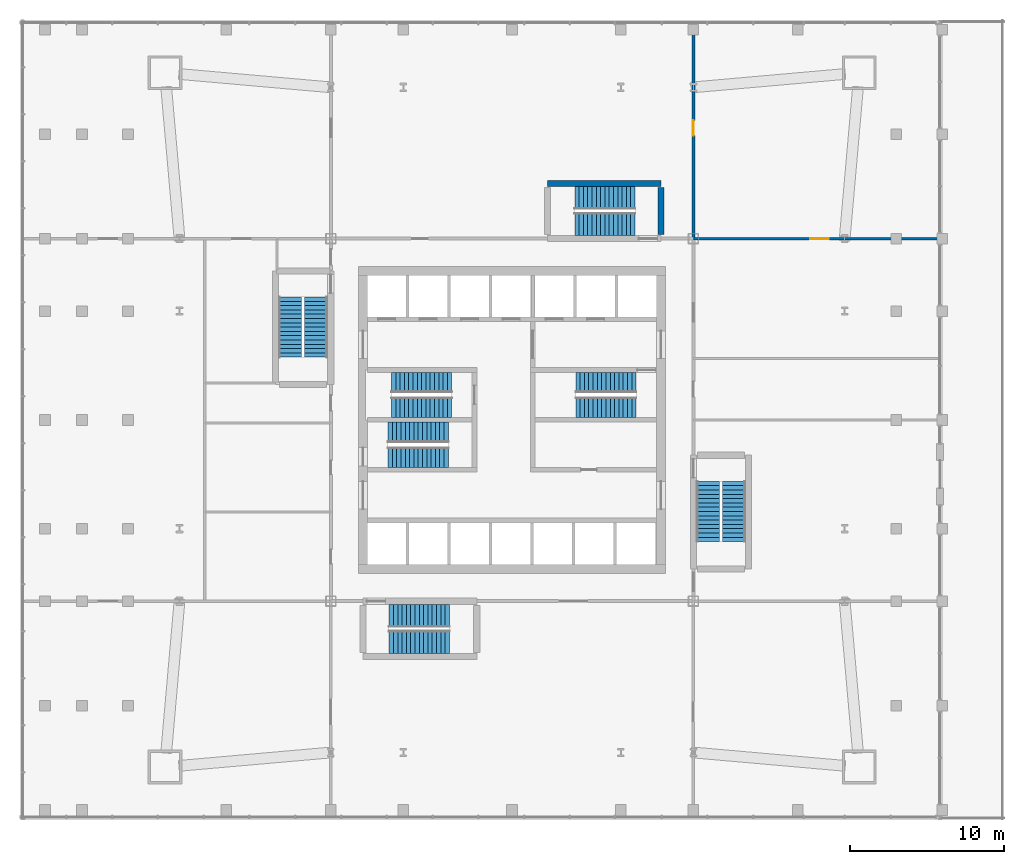
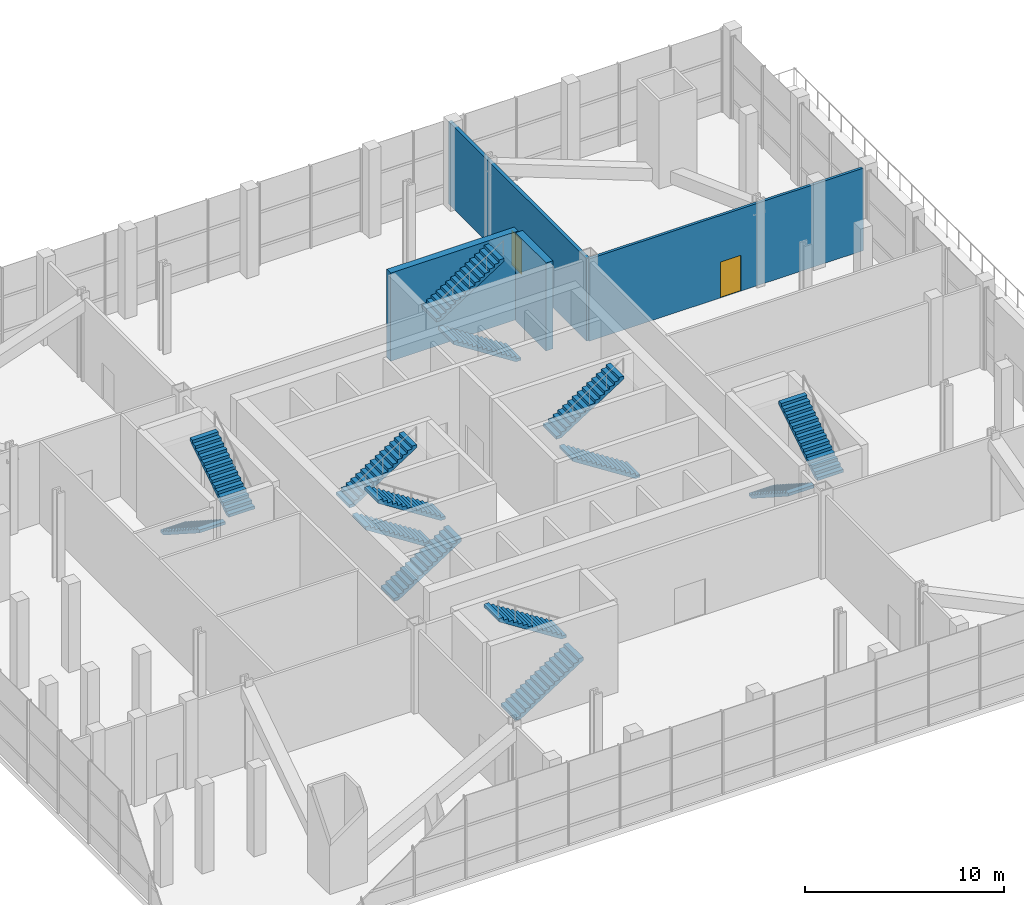
# One storey, part 16 of 17: 14 stair flights, 4 walls, 2 doors, 2 openings, 7 elements without a shape of their own.
"""IFC4 building model written with IfcOpenShell, lengths in metres."""

import ifcopenshell
import ifcopenshell.guid

model = None  # the IFC model being written
_history = None  # IfcOwnerHistory: only IFC2X3 demands one
_inside = {}  # id of a spatial element -> (the spatial element, [elements in it])
_under = {}  # id of a project, library or spatial element -> (it, [spatial elements below it])
_declared = {}  # id of a project -> (the project, [libraries it declares])
_typed = {}  # id of a type object -> (the type object, [elements of that type])
_made_of = {}  # id of a material, layer set ... -> (it, [elements and type objects made of it])


def new_model(schema):
    """Start an empty IFC model of exactly this schema.

    Asked for "IFC4X3", IfcOpenShell would pick the latest addendum, in which some entities
    have other attributes; the version numbers below select the first issue.
    IFC2X3 requires an IfcOwnerHistory on every rooted entity: one is made here for all.
    """
    global model, _history
    if schema == "IFC4X3":
        model = ifcopenshell.file(schema_version=(4, 3, 0, 0))
    else:
        model = ifcopenshell.file(schema=schema)
    _inside.clear()
    _under.clear()
    _declared.clear()
    _typed.clear()
    _made_of.clear()
    _history = None
    if model.schema == "IFC2X3":
        org = make("IfcOrganization", Name="unknown")
        user = make(
            "IfcPersonAndOrganization",
            ThePerson=make("IfcPerson", FamilyName="unknown"),
            TheOrganization=org,
        )
        app = make(
            "IfcApplication",
            ApplicationDeveloper=org,
            Version="unknown",
            ApplicationFullName="unknown",
            ApplicationIdentifier="unknown",
        )
        _history = make(
            "IfcOwnerHistory",
            OwningUser=user,
            OwningApplication=app,
            ChangeAction="ADDED",
            CreationDate=0,
        )
    return model


def make(cls, **values):
    """One entity of the class cls with the attributes given. An attribute that is None is left unset."""
    return model.create_entity(
        cls, **{name: value for name, value in values.items() if value is not None}
    )


def rooted(cls, **values):
    """An entity with a GlobalId (a new one), such as an element, a storey or a relation."""
    return make(cls, GlobalId=ifcopenshell.guid.new(), OwnerHistory=_history, **values)


def si_unit(unit_type, name, prefix=None):
    """IfcSIUnit, for example si_unit("LENGTHUNIT", "METRE", prefix="MILLI")."""
    return make("IfcSIUnit", UnitType=unit_type, Prefix=prefix, Name=name)


def assignment(units):
    """IfcUnitAssignment: the units of a project."""
    return None if units is None else make("IfcUnitAssignment", Units=units)


def point(xyz):
    """IfcCartesianPoint."""
    return None if xyz is None else make("IfcCartesianPoint", Coordinates=xyz)


def direction(xyz):
    """IfcDirection."""
    return None if xyz is None else make("IfcDirection", DirectionRatios=xyz)


def frame(location, z_axis=None, x_axis=None):
    """IfcAxis2Placement3D, a coordinate frame: its origin and axes. An axis left out is left unset."""
    return make(
        "IfcAxis2Placement3D",
        Location=point(location),
        Axis=direction(z_axis),
        RefDirection=direction(x_axis),
    )


def frame_2d(location, x_axis=None):
    """IfcAxis2Placement2D, a coordinate frame in the plane: its origin and x axis."""
    return make(
        "IfcAxis2Placement2D", Location=point(location), RefDirection=direction(x_axis)
    )


def origin():
    """The frame at (0, 0, 0) with its axes left unset."""
    return frame((0.0, 0.0, 0.0))


def place(relative_to, where):
    """IfcLocalPlacement: puts the frame where relative to a parent placement (None: the world)."""
    return make(
        "IfcLocalPlacement", PlacementRelTo=relative_to, RelativePlacement=where
    )


def context(
    kind, dimensions, precision=None, world=None, true_north=None, identifier=None
):
    """IfcGeometricRepresentationContext, for example the 3D "Model" context."""
    return make(
        "IfcGeometricRepresentationContext",
        ContextIdentifier=identifier,
        ContextType=kind,
        CoordinateSpaceDimension=dimensions,
        Precision=precision,
        WorldCoordinateSystem=world,
        TrueNorth=true_north,
    )


def subcontext(parent, identifier, kind, view, scale=None):
    """IfcGeometricRepresentationSubContext, for example "Body" below "Model"."""
    return make(
        "IfcGeometricRepresentationSubContext",
        ContextIdentifier=identifier,
        ContextType=kind,
        ParentContext=parent,
        TargetScale=scale,
        TargetView=view,
    )


def project(units=None, contexts=None):
    """IfcProject with its units and contexts."""
    return rooted(
        "IfcProject",
        Name="project",
        RepresentationContexts=contexts,
        UnitsInContext=assignment(units),
    )


def spatial(cls, under=None, at=None, **own):
    """A site, building, storey or space (cls), placed at a placement, below another one or the project."""
    s = rooted(cls, ObjectPlacement=at, **own)
    if under is not None:
        _under.setdefault(under.id(), (under, []))[1].append(s)
    return s


def polyline(points):
    """IfcPolyline through the points."""
    return make("IfcPolyline", Points=[point(p) for p in points])


def profile(cls, at=None, kind="AREA", **sizes):
    """A parametric profile (cls). Its sizes go by their IFC names, for example OverallWidth=200.0."""
    return make(cls, ProfileType=kind, Position=at, **sizes)


def rectangle(**sizes):
    """IfcRectangleProfileDef."""
    return profile("IfcRectangleProfileDef", **sizes)


def outline(outer, holes=None, kind="AREA"):
    """IfcArbitraryClosedProfileDef: a profile drawn as a closed curve; with holes, ...WithVoids."""
    if holes is None:
        return make("IfcArbitraryClosedProfileDef", ProfileType=kind, OuterCurve=outer)
    return make(
        "IfcArbitraryProfileDefWithVoids",
        ProfileType=kind,
        OuterCurve=outer,
        InnerCurves=holes,
    )


def extrude(swept, where, along, depth):
    """IfcExtrudedAreaSolid: the profile swept, set in the frame where, extruded along a direction by depth."""
    return make(
        "IfcExtrudedAreaSolid",
        SweptArea=swept,
        Position=where,
        ExtrudedDirection=direction(along),
        Depth=depth,
    )


def shape(context_of_items, identifier, shape_type, items):
    """IfcShapeRepresentation: the items that make up one representation, for example the "Body"."""
    return make(
        "IfcShapeRepresentation",
        ContextOfItems=context_of_items,
        RepresentationIdentifier=identifier,
        RepresentationType=shape_type,
        Items=items,
    )


def material(Name=None, Category=None):
    """IfcMaterial."""
    return make("IfcMaterial", Name=Name, Category=Category)


def layer(
    of_material, thickness, ventilated=None, Name=None, Category=None, Priority=None
):
    """IfcMaterialLayer: one layer of a wall or slab, of a material (None: an air gap)."""
    return make(
        "IfcMaterialLayer",
        Material=of_material,
        LayerThickness=thickness,
        IsVentilated=ventilated,
        Name=Name,
        Category=Category,
        Priority=Priority,
    )


def layer_set(layers, Name=None):
    """IfcMaterialLayerSet."""
    return make("IfcMaterialLayerSet", MaterialLayers=layers, LayerSetName=Name)


def made_of(thing, what):
    """Note that an element or type object is made of a material, layer set ...; save() writes the relation."""
    if what is not None:
        _made_of.setdefault(what.id(), (what, []))[1].append(thing)
    return thing


def type_object(cls, material=None, **own):
    """A type object (cls), such as IfcWallType, which elements share."""
    return made_of(rooted(cls, **own), material)


def element(
    cls,
    number,
    at=None,
    inside=None,
    cuts=None,
    type_object=None,
    material=None,
    context=None,
    identifier="Body",
    shape_type=None,
    held_by="IfcProductDefinitionShape",
    body=None,
    shapes=None,
    **own,
):
    """One element of the class cls, such as IfcWall. Its Tag is "e" and its number.

    at: its placement. inside: the storey or other place that contains it. cuts: it is an
    opening in that element (IfcRelVoidsElement). A single representation is given by context,
    identifier, shape_type and body (its items); several are given by shapes. held_by: the class
    of the entity that holds the representations. save() writes the other relations.
    """
    e = rooted(cls, Tag="e%d" % number, ObjectPlacement=at, **own)
    if body is not None:
        shapes = [shape(context, identifier, shape_type, body)]
    if shapes is not None:
        e.Representation = make(held_by, Representations=shapes)
    if inside is not None:
        _inside.setdefault(inside.id(), (inside, []))[1].append(e)
    if cuts is not None:
        rooted(
            "IfcRelVoidsElement", RelatingBuildingElement=cuts, RelatedOpeningElement=e
        )
    if type_object is not None:
        _typed.setdefault(type_object.id(), (type_object, []))[1].append(e)
    return made_of(e, material)


def fill(opening, filler):
    """IfcRelFillsElement: the door or window that sits in an opening."""
    return rooted(
        "IfcRelFillsElement",
        RelatingOpeningElement=opening,
        RelatedBuildingElement=filler,
    )


def aggregate(whole, parts):
    """IfcRelAggregates: a whole, such as a stair, and the parts it consists of."""
    return rooted("IfcRelAggregates", RelatingObject=whole, RelatedObjects=parts)


def save(model, path):
    """Write the relations noted so far, then the file.

    IfcRelAggregates (storeys below a building ...), IfcRelContainedInSpatialStructure (elements
    in a storey), IfcRelDefinesByType, IfcRelAssociatesMaterial and IfcRelDeclares: one each for
    every whole, place, type object, material and project.
    """
    for whole, parts in _under.values():
        aggregate(whole, parts)
    for where, things in _inside.values():
        rooted(
            "IfcRelContainedInSpatialStructure",
            RelatedElements=things,
            RelatingStructure=where,
        )
    for kind, things in _typed.values():
        rooted("IfcRelDefinesByType", RelatedObjects=things, RelatingType=kind)
    for what, things in _made_of.values():
        rooted("IfcRelAssociatesMaterial", RelatedObjects=things, RelatingMaterial=what)
    for by, libraries in _declared.values():
        rooted("IfcRelDeclares", RelatingContext=by, RelatedDefinitions=libraries)
    model.write(path)


model = new_model("IFC4")

# Units and contexts
model_context = context("Model", 3, precision=1e-05, world=origin(), true_north=direction((0.0, 1.0)))
body_context = subcontext(model_context, "Body", "Model", "MODEL_VIEW")
ifc_project = project(units=[si_unit("LENGTHUNIT", "METRE"), si_unit("AREAUNIT", "SQUARE_METRE"), si_unit("VOLUMEUNIT", "CUBIC_METRE"), si_unit("PLANEANGLEUNIT", "RADIAN"), si_unit("MASSUNIT", "GRAM", prefix="KILO")], contexts=[model_context])

# Site, building, storey
site_placement = place(None, origin())
site = spatial("IfcSite", under=ifc_project, at=site_placement, CompositionType="ELEMENT")
building_placement = place(site_placement, origin())
building = spatial("IfcBuilding", under=site, at=building_placement, Name="Turquesa Mirador Hotel Tower", CompositionType="ELEMENT")
storey_placement = place(building_placement, frame((0.0, 0.0, 5.60009765625)))
storey = spatial("IfcBuildingStorey", under=building, at=storey_placement, Name="L01", CompositionType="ELEMENT", Elevation=5.60009765625)

# Wall, opening, door
ifc_material_1 = material(Name="Fire-rated gypsum board on steel studs", Category="steel")
ifc_layer_1 = layer(ifc_material_1, 0.199951171875)
ifc_layer_set_1 = layer_set([ifc_layer_1], Name="FIRE PARTITION 200")
wall_type_1 = type_object("IfcWallType", Name="FIRE PARTITION 200", PredefinedType="PARTITIONING", material=ifc_layer_set_1)
wall_1_placement = place(storey_placement, frame((66.800048828125, 56.800048828125, 0.0), z_axis=(0.0, 0.0, 1.0), x_axis=(0.0, 1.0, 0.0)))
wall_1 = element("IfcWall", 1, at=wall_1_placement, inside=storey, type_object=wall_type_1, Name="Partition L01 031", PredefinedType="PARTITIONING", context=body_context, shape_type="SweptSolid", body=[
    extrude(rectangle(XDim=13.89990234375, YDim=0.199951171875, at=frame_2d((6.949951171875, 0.0))), origin(), (0.0, 0.0, 1.0), 5.0498046875),
])
opening_1_placement = place(wall_1_placement, frame((6.699951171875, 0.0, 0.0)))
opening_1 = element("IfcOpeningElement", 2, at=opening_1_placement, cuts=wall_1, Name="Opening D05", PredefinedType="OPENING", context=body_context, shape_type="SweptSolid", body=[
    extrude(rectangle(XDim=1.0, YDim=2.10009765625, at=frame_2d((0.5, 1.050048828125))), frame((0.0, 0.10986328125, 0.0), z_axis=(0.0, -1.0, 0.0), x_axis=(1.0, 0.0, 0.0)), (0.0, 0.0, 1.0), 0.219970703125),
])
ifc_material_2 = material(Name="Steel fire door", Category="steel")
door_type_1 = type_object("IfcDoorType", Name="DOOR 1000X2100 SERVICE", OperationType="SINGLE_SWING_LEFT", PredefinedType="DOOR", material=ifc_material_2)
door_1_placement = place(opening_1_placement, origin())
door_1 = element("IfcDoor", 3, at=door_1_placement, inside=storey, type_object=door_type_1, Name="Door L01-11", OperationType="SINGLE_SWING_LEFT", OverallHeight=2.10009765625, OverallWidth=1.0, PredefinedType="DOOR", context=body_context, shape_type="SweptSolid", body=[
    extrude(rectangle(XDim=1.0, YDim=2.10009765625, at=frame_2d((0.5, 1.050048828125))), frame((0.0, 0.02490234375, 0.0), z_axis=(0.0, -1.0, 0.0), x_axis=(1.0, 0.0, 0.0)), (0.0, 0.0, 1.0), 0.050048828125),
])
fill(opening_1, door_1)

ifc_material_3 = material(Name="Gypsum board on steel studs", Category="steel")
ifc_layer_2 = layer(ifc_material_3, 0.14990234375)
ifc_layer_set_2 = layer_set([ifc_layer_2], Name="PARTITION 150")
wall_type_2 = type_object("IfcWallType", Name="PARTITION 150", PredefinedType="PARTITIONING", material=ifc_layer_set_2)
wall_2_placement = place(storey_placement, frame((66.800048828125, 56.800048828125, 0.0), z_axis=(0.0, 0.0, 1.0), x_axis=(1.0, 0.0, 0.0)))
wall_2 = element("IfcWall", 4, at=wall_2_placement, inside=storey, type_object=wall_type_2, Name="Partition L01 015", PredefinedType="PARTITIONING", context=body_context, shape_type="SweptSolid", body=[
    extrude(rectangle(XDim=15.89990234375, YDim=0.14990234375, at=frame_2d((7.949951171875, 0.0))), origin(), (0.0, 0.0, 1.0), 5.0498046875),
])
opening_2_placement = place(wall_2_placement, frame((7.60009765625, 0.0, 0.0)))
opening_2 = element("IfcOpeningElement", 5, at=opening_2_placement, cuts=wall_2, Name="Opening D09", PredefinedType="OPENING", context=body_context, shape_type="SweptSolid", body=[
    extrude(rectangle(XDim=1.199951171875, YDim=2.199951171875, at=frame_2d((0.60009765625, 1.10009765625))), frame((0.0, 0.0849609375, 0.0), z_axis=(0.0, -1.0, 0.0), x_axis=(1.0, 0.0, 0.0)), (0.0, 0.0, 1.0), 0.169921875),
])
ifc_material_4 = material(Name="Timber door", Category="wood")
door_type_2 = type_object("IfcDoorType", Name="DOOR 1200X2200 OFFICE", OperationType="SINGLE_SWING_LEFT", PredefinedType="DOOR", material=ifc_material_4)
door_2_placement = place(opening_2_placement, origin())
door_2 = element("IfcDoor", 6, at=door_2_placement, inside=storey, type_object=door_type_2, Name="Door L01-11-1", OperationType="SINGLE_SWING_LEFT", OverallHeight=2.199951171875, OverallWidth=1.199951171875, PredefinedType="DOOR", context=body_context, shape_type="SweptSolid", body=[
    extrude(rectangle(XDim=1.199951171875, YDim=2.199951171875, at=frame_2d((0.60009765625, 1.10009765625))), frame((0.0, 0.02490234375, 0.0), z_axis=(0.0, -1.0, 0.0), x_axis=(1.0, 0.0, 0.0)), (0.0, 0.0, 1.0), 0.050048828125),
])
fill(opening_2, door_2)

# Walls
ifc_material_5 = material(Name="Concrete C50/60", Category="concrete")
ifc_layer_3 = layer(ifc_material_5, 0.39990234375)
ifc_layer_set_3 = layer_set([ifc_layer_3], Name="STAIR WALL 400")
wall_type_3 = type_object("IfcWallType", Name="STAIR WALL 400", PredefinedType="SHEAR", material=ifc_layer_set_3)
wall_3_placement = place(storey_placement, frame((57.300048828125, 60.39990234375, 0.0), z_axis=(0.0, 0.0, 1.0), x_axis=(1.0, 0.0, 0.0)))
element("IfcWall", 7, at=wall_3_placement, inside=storey, type_object=wall_type_3, Name="Stair wall L01 017", PredefinedType="SHEAR", context=body_context, shape_type="SweptSolid", body=[
    extrude(rectangle(XDim=7.39990234375, YDim=0.39990234375, at=frame_2d((3.699951171875, 0.0))), origin(), (0.0, 0.0, 1.0), 5.39990234375),
])
wall_4_placement = place(storey_placement, frame((64.699951171875, 57.070068359375, 0.0), z_axis=(0.0, 0.0, 1.0), x_axis=(0.0, 1.0, 0.0)))
element("IfcWall", 8, at=wall_4_placement, inside=storey, type_object=wall_type_3, Name="Stair wall L01 036", PredefinedType="SHEAR", context=body_context, shape_type="SweptSolid", body=[
    extrude(rectangle(XDim=3.059814453125, YDim=0.39990234375, at=frame_2d((1.52978515625, 0.0))), origin(), (0.0, 0.0, 1.0), 5.39990234375),
])

# Stair, stair flights
ifc_material_6 = material(Name="Concrete C35/45", Category="concrete")
stair_type_1 = type_object("IfcStairType", Name="ESCAPE STAIR CORE", PredefinedType="HALF_TURN_STAIR", material=ifc_material_6)
stair_1_placement = place(storey_placement, origin())
stair_1 = element("IfcStair", 9, at=stair_1_placement, inside=storey, type_object=stair_type_1, Name="Stair ST1 L01 to L02", PredefinedType="HALF_TURN_STAIR")
ifc_material_7 = material(Name="Concrete C35/45 precast flight", Category="concrete")
stair_flight_type_1 = type_object("IfcStairFlightType", Name="STAIR FLIGHT 1330", PredefinedType="STRAIGHT", material=ifc_material_7)
stair_flight_1_placement = place(storey_placement, frame((51.070068359375, 45.81494140625, 0.0), z_axis=(0.0, 0.0, 1.0), x_axis=(-1.0, 0.0, 0.0)))
stair_flight_1 = element("IfcStairFlight", 10, at=stair_flight_1_placement, type_object=stair_flight_type_1, Name="ST1 flight 1", NumberOfRisers=15, NumberOfTreads=14, PredefinedType="STRAIGHT", RiserHeight=0.18, TreadLength=0.28, context=body_context, shape_type="SweptSolid", body=[
    extrude(outline(polyline([(0.0, 0.0), (0.0, 0.179931640625), (0.280029296875, 0.179931640625), (0.280029296875, 0.360107421875), (0.56005859375, 0.360107421875), (0.56005859375, 0.5400390625), (0.840087890625, 0.5400390625), (0.840087890625, 0.719970703125), (1.1201171875, 0.719970703125), (1.1201171875, 0.89990234375), (1.39990234375, 0.89990234375), (1.39990234375, 1.080078125), (1.679931640625, 1.080078125), (1.679931640625, 1.260009765625), (1.9599609375, 1.260009765625), (1.9599609375, 1.43994140625), (2.239990234375, 1.43994140625), (2.239990234375, 1.6201171875), (2.52001953125, 1.6201171875), (2.52001953125, 1.800048828125), (2.800048828125, 1.800048828125), (2.800048828125, 1.97998046875), (3.080078125, 1.97998046875), (3.080078125, 2.159912109375), (3.360107421875, 2.159912109375), (3.360107421875, 2.340087890625), (3.639892578125, 2.340087890625), (3.639892578125, 2.52001953125), (3.919921875, 2.52001953125), (3.919921875, 2.699951171875), (3.919921875, 2.341796875), (0.277099609375, 0.0), (0.0, 0.0)])), frame((0.0, 0.6650390625, 0.0), z_axis=(0.0, -1.0, 0.0), x_axis=(1.0, 0.0, 0.0)), (0.0, 0.0, 1.0), 1.330078125),
])
stair_flight_2_placement = place(storey_placement, frame((47.14990234375, 47.43505859375, 2.699951171875), z_axis=(0.0, 0.0, 1.0), x_axis=(1.0, 0.0, 0.0)))
stair_flight_2 = element("IfcStairFlight", 11, at=stair_flight_2_placement, type_object=stair_flight_type_1, Name="ST1 flight 2", NumberOfRisers=15, NumberOfTreads=14, PredefinedType="STRAIGHT", RiserHeight=0.18, TreadLength=0.28, context=body_context, shape_type="SweptSolid", body=[
    extrude(outline(polyline([(0.0, 0.0), (0.0, 0.179931640625), (0.280029296875, 0.179931640625), (0.280029296875, 0.360107421875), (0.56005859375, 0.360107421875), (0.56005859375, 0.5400390625), (0.840087890625, 0.5400390625), (0.840087890625, 0.719970703125), (1.1201171875, 0.719970703125), (1.1201171875, 0.89990234375), (1.39990234375, 0.89990234375), (1.39990234375, 1.080078125), (1.679931640625, 1.080078125), (1.679931640625, 1.260009765625), (1.9599609375, 1.260009765625), (1.9599609375, 1.43994140625), (2.239990234375, 1.43994140625), (2.239990234375, 1.6201171875), (2.52001953125, 1.6201171875), (2.52001953125, 1.800048828125), (2.800048828125, 1.800048828125), (2.800048828125, 1.97998046875), (3.080078125, 1.97998046875), (3.080078125, 2.159912109375), (3.360107421875, 2.159912109375), (3.360107421875, 2.340087890625), (3.639892578125, 2.340087890625), (3.639892578125, 2.52001953125), (3.919921875, 2.52001953125), (3.919921875, 2.699951171875), (3.919921875, 2.341796875), (0.277099609375, 0.0), (0.0, 0.0)])), frame((0.0, 0.6650390625, 0.0), z_axis=(0.0, -1.0, 0.0), x_axis=(1.0, 0.0, 0.0)), (0.0, 0.0, 1.0), 1.330078125),
])
aggregate(stair_1, [stair_flight_1, stair_flight_2])

stair_2_placement = place(storey_placement, origin())
stair_2 = element("IfcStair", 12, at=stair_2_placement, inside=storey, type_object=stair_type_1, Name="Stair ST2 L01 to L02", PredefinedType="HALF_TURN_STAIR")
stair_flight_3_placement = place(storey_placement, frame((46.929931640625, 42.56494140625, 0.0), z_axis=(0.0, 0.0, 1.0), x_axis=(1.0, 0.0, 0.0)))
stair_flight_3 = element("IfcStairFlight", 13, at=stair_flight_3_placement, type_object=stair_flight_type_1, Name="ST2 flight 1", NumberOfRisers=15, NumberOfTreads=14, PredefinedType="STRAIGHT", RiserHeight=0.18, TreadLength=0.28, context=body_context, shape_type="SweptSolid", body=[
    extrude(outline(polyline([(0.0, 0.0), (0.0, 0.179931640625), (0.280029296875, 0.179931640625), (0.280029296875, 0.360107421875), (0.56005859375, 0.360107421875), (0.56005859375, 0.5400390625), (0.840087890625, 0.5400390625), (0.840087890625, 0.719970703125), (1.1201171875, 0.719970703125), (1.1201171875, 0.89990234375), (1.39990234375, 0.89990234375), (1.39990234375, 1.080078125), (1.679931640625, 1.080078125), (1.679931640625, 1.260009765625), (1.9599609375, 1.260009765625), (1.9599609375, 1.43994140625), (2.239990234375, 1.43994140625), (2.239990234375, 1.6201171875), (2.52001953125, 1.6201171875), (2.52001953125, 1.800048828125), (2.800048828125, 1.800048828125), (2.800048828125, 1.97998046875), (3.080078125, 1.97998046875), (3.080078125, 2.159912109375), (3.360107421875, 2.159912109375), (3.360107421875, 2.340087890625), (3.639892578125, 2.340087890625), (3.639892578125, 2.52001953125), (3.919921875, 2.52001953125), (3.919921875, 2.699951171875), (3.919921875, 2.341796875), (0.277099609375, 0.0), (0.0, 0.0)])), frame((0.0, 0.6650390625, 0.0), z_axis=(0.0, -1.0, 0.0), x_axis=(1.0, 0.0, 0.0)), (0.0, 0.0, 1.0), 1.330078125),
])
stair_flight_4_placement = place(storey_placement, frame((50.85009765625, 44.18505859375, 2.699951171875), z_axis=(0.0, 0.0, 1.0), x_axis=(-1.0, 0.0, 0.0)))
stair_flight_4 = element("IfcStairFlight", 14, at=stair_flight_4_placement, type_object=stair_flight_type_1, Name="ST2 flight 2", NumberOfRisers=15, NumberOfTreads=14, PredefinedType="STRAIGHT", RiserHeight=0.18, TreadLength=0.28, context=body_context, shape_type="SweptSolid", body=[
    extrude(outline(polyline([(0.0, 0.0), (0.0, 0.179931640625), (0.280029296875, 0.179931640625), (0.280029296875, 0.360107421875), (0.56005859375, 0.360107421875), (0.56005859375, 0.5400390625), (0.840087890625, 0.5400390625), (0.840087890625, 0.719970703125), (1.1201171875, 0.719970703125), (1.1201171875, 0.89990234375), (1.39990234375, 0.89990234375), (1.39990234375, 1.080078125), (1.679931640625, 1.080078125), (1.679931640625, 1.260009765625), (1.9599609375, 1.260009765625), (1.9599609375, 1.43994140625), (2.239990234375, 1.43994140625), (2.239990234375, 1.6201171875), (2.52001953125, 1.6201171875), (2.52001953125, 1.800048828125), (2.800048828125, 1.800048828125), (2.800048828125, 1.97998046875), (3.080078125, 1.97998046875), (3.080078125, 2.159912109375), (3.360107421875, 2.159912109375), (3.360107421875, 2.340087890625), (3.639892578125, 2.340087890625), (3.639892578125, 2.52001953125), (3.919921875, 2.52001953125), (3.919921875, 2.699951171875), (3.919921875, 2.341796875), (0.277099609375, 0.0), (0.0, 0.0)])), frame((0.0, 0.6650390625, 0.0), z_axis=(0.0, -1.0, 0.0), x_axis=(1.0, 0.0, 0.0)), (0.0, 0.0, 1.0), 1.330078125),
])
aggregate(stair_2, [stair_flight_3, stair_flight_4])

stair_3_placement = place(storey_placement, origin())
stair_3 = element("IfcStair", 15, at=stair_3_placement, inside=storey, type_object=stair_type_1, Name="Stair ST3 L01 to L02", PredefinedType="HALF_TURN_STAIR")
stair_flight_5_placement = place(storey_placement, frame((63.070068359375, 45.81494140625, 0.0), z_axis=(0.0, 0.0, 1.0), x_axis=(-1.0, 0.0, 0.0)))
stair_flight_5 = element("IfcStairFlight", 16, at=stair_flight_5_placement, type_object=stair_flight_type_1, Name="ST3 flight 1", NumberOfRisers=15, NumberOfTreads=14, PredefinedType="STRAIGHT", RiserHeight=0.18, TreadLength=0.28, context=body_context, shape_type="SweptSolid", body=[
    extrude(outline(polyline([(0.0, 0.0), (0.0, 0.179931640625), (0.280029296875, 0.179931640625), (0.280029296875, 0.360107421875), (0.56005859375, 0.360107421875), (0.56005859375, 0.5400390625), (0.840087890625, 0.5400390625), (0.840087890625, 0.719970703125), (1.1201171875, 0.719970703125), (1.1201171875, 0.89990234375), (1.39990234375, 0.89990234375), (1.39990234375, 1.080078125), (1.679931640625, 1.080078125), (1.679931640625, 1.260009765625), (1.9599609375, 1.260009765625), (1.9599609375, 1.43994140625), (2.239990234375, 1.43994140625), (2.239990234375, 1.6201171875), (2.52001953125, 1.6201171875), (2.52001953125, 1.800048828125), (2.800048828125, 1.800048828125), (2.800048828125, 1.97998046875), (3.080078125, 1.97998046875), (3.080078125, 2.159912109375), (3.360107421875, 2.159912109375), (3.360107421875, 2.340087890625), (3.639892578125, 2.340087890625), (3.639892578125, 2.52001953125), (3.919921875, 2.52001953125), (3.919921875, 2.699951171875), (3.919921875, 2.341796875), (0.277099609375, 0.0), (0.0, 0.0)])), frame((0.0, 0.6650390625, 0.0), z_axis=(0.0, -1.0, 0.0), x_axis=(1.0, 0.0, 0.0)), (0.0, 0.0, 1.0), 1.330078125),
])
stair_flight_6_placement = place(storey_placement, frame((59.14990234375, 47.43505859375, 2.699951171875), z_axis=(0.0, 0.0, 1.0), x_axis=(1.0, 0.0, 0.0)))
stair_flight_6 = element("IfcStairFlight", 17, at=stair_flight_6_placement, type_object=stair_flight_type_1, Name="ST3 flight 2", NumberOfRisers=15, NumberOfTreads=14, PredefinedType="STRAIGHT", RiserHeight=0.18, TreadLength=0.28, context=body_context, shape_type="SweptSolid", body=[
    extrude(outline(polyline([(0.0, 0.0), (0.0, 0.179931640625), (0.280029296875, 0.179931640625), (0.280029296875, 0.360107421875), (0.56005859375, 0.360107421875), (0.56005859375, 0.5400390625), (0.840087890625, 0.5400390625), (0.840087890625, 0.719970703125), (1.1201171875, 0.719970703125), (1.1201171875, 0.89990234375), (1.39990234375, 0.89990234375), (1.39990234375, 1.080078125), (1.679931640625, 1.080078125), (1.679931640625, 1.260009765625), (1.9599609375, 1.260009765625), (1.9599609375, 1.43994140625), (2.239990234375, 1.43994140625), (2.239990234375, 1.6201171875), (2.52001953125, 1.6201171875), (2.52001953125, 1.800048828125), (2.800048828125, 1.800048828125), (2.800048828125, 1.97998046875), (3.080078125, 1.97998046875), (3.080078125, 2.159912109375), (3.360107421875, 2.159912109375), (3.360107421875, 2.340087890625), (3.639892578125, 2.340087890625), (3.639892578125, 2.52001953125), (3.919921875, 2.52001953125), (3.919921875, 2.699951171875), (3.919921875, 2.341796875), (0.277099609375, 0.0), (0.0, 0.0)])), frame((0.0, 0.6650390625, 0.0), z_axis=(0.0, -1.0, 0.0), x_axis=(1.0, 0.0, 0.0)), (0.0, 0.0, 1.0), 1.330078125),
])
aggregate(stair_3, [stair_flight_5, stair_flight_6])

ifc_material_8 = material(Name="Concrete C35/45", Category="concrete")
stair_type_2 = type_object("IfcStairType", Name="ESCAPE STAIR PODIUM", PredefinedType="HALF_TURN_STAIR", material=ifc_material_8)
stair_4_placement = place(storey_placement, origin())
stair_4 = element("IfcStair", 18, at=stair_4_placement, inside=storey, type_object=stair_type_2, Name="Stair PS1 L01 to L02", PredefinedType="HALF_TURN_STAIR")
ifc_material_9 = material(Name="Concrete C35/45 precast flight", Category="concrete")
stair_flight_type_2 = type_object("IfcStairFlightType", Name="STAIR FLIGHT 1500", PredefinedType="STRAIGHT", material=ifc_material_9)
stair_flight_7_placement = place(storey_placement, frame((63.0, 57.75, 0.0), z_axis=(0.0, 0.0, 1.0), x_axis=(-1.0, 0.0, 0.0)))
stair_flight_7 = element("IfcStairFlight", 19, at=stair_flight_7_placement, type_object=stair_flight_type_2, Name="PS1 flight 1", NumberOfRisers=15, NumberOfTreads=14, PredefinedType="STRAIGHT", RiserHeight=0.18, TreadLength=0.28, context=body_context, shape_type="SweptSolid", body=[
    extrude(outline(polyline([(0.0, 0.0), (0.0, 0.179931640625), (0.280029296875, 0.179931640625), (0.280029296875, 0.360107421875), (0.56005859375, 0.360107421875), (0.56005859375, 0.5400390625), (0.840087890625, 0.5400390625), (0.840087890625, 0.719970703125), (1.1201171875, 0.719970703125), (1.1201171875, 0.89990234375), (1.39990234375, 0.89990234375), (1.39990234375, 1.080078125), (1.679931640625, 1.080078125), (1.679931640625, 1.260009765625), (1.9599609375, 1.260009765625), (1.9599609375, 1.43994140625), (2.239990234375, 1.43994140625), (2.239990234375, 1.6201171875), (2.52001953125, 1.6201171875), (2.52001953125, 1.800048828125), (2.800048828125, 1.800048828125), (2.800048828125, 1.97998046875), (3.080078125, 1.97998046875), (3.080078125, 2.159912109375), (3.360107421875, 2.159912109375), (3.360107421875, 2.340087890625), (3.639892578125, 2.340087890625), (3.639892578125, 2.52001953125), (3.919921875, 2.52001953125), (3.919921875, 2.699951171875), (3.919921875, 2.341796875), (0.277099609375, 0.0), (0.0, 0.0)])), frame((0.0, 0.75, 0.0), z_axis=(0.0, -1.0, 0.0), x_axis=(1.0, 0.0, 0.0)), (0.0, 0.0, 1.0), 1.5),
])
stair_flight_8_placement = place(storey_placement, frame((59.080078125, 59.449951171875, 2.699951171875), z_axis=(0.0, 0.0, 1.0), x_axis=(1.0, 0.0, 0.0)))
stair_flight_8 = element("IfcStairFlight", 20, at=stair_flight_8_placement, type_object=stair_flight_type_2, Name="PS1 flight 2", NumberOfRisers=15, NumberOfTreads=14, PredefinedType="STRAIGHT", RiserHeight=0.18, TreadLength=0.28, context=body_context, shape_type="SweptSolid", body=[
    extrude(outline(polyline([(0.0, 0.0), (0.0, 0.179931640625), (0.280029296875, 0.179931640625), (0.280029296875, 0.360107421875), (0.56005859375, 0.360107421875), (0.56005859375, 0.5400390625), (0.840087890625, 0.5400390625), (0.840087890625, 0.719970703125), (1.1201171875, 0.719970703125), (1.1201171875, 0.89990234375), (1.39990234375, 0.89990234375), (1.39990234375, 1.080078125), (1.679931640625, 1.080078125), (1.679931640625, 1.260009765625), (1.9599609375, 1.260009765625), (1.9599609375, 1.43994140625), (2.239990234375, 1.43994140625), (2.239990234375, 1.6201171875), (2.52001953125, 1.6201171875), (2.52001953125, 1.800048828125), (2.800048828125, 1.800048828125), (2.800048828125, 1.97998046875), (3.080078125, 1.97998046875), (3.080078125, 2.159912109375), (3.360107421875, 2.159912109375), (3.360107421875, 2.340087890625), (3.639892578125, 2.340087890625), (3.639892578125, 2.52001953125), (3.919921875, 2.52001953125), (3.919921875, 2.699951171875), (3.919921875, 2.341796875), (0.277099609375, 0.0), (0.0, 0.0)])), frame((0.0, 0.75, 0.0), z_axis=(0.0, -1.0, 0.0), x_axis=(1.0, 0.0, 0.0)), (0.0, 0.0, 1.0), 1.5),
])
aggregate(stair_4, [stair_flight_7, stair_flight_8])

stair_5_placement = place(storey_placement, origin())
stair_5 = element("IfcStair", 21, at=stair_5_placement, inside=storey, type_object=stair_type_2, Name="Stair PS2 L01 to L02", PredefinedType="HALF_TURN_STAIR")
stair_flight_9_placement = place(storey_placement, frame((47.0, 30.550048828125, 0.0), z_axis=(0.0, 0.0, 1.0), x_axis=(1.0, 0.0, 0.0)))
stair_flight_9 = element("IfcStairFlight", 22, at=stair_flight_9_placement, type_object=stair_flight_type_2, Name="PS2 flight 1", NumberOfRisers=15, NumberOfTreads=14, PredefinedType="STRAIGHT", RiserHeight=0.18, TreadLength=0.28, context=body_context, shape_type="SweptSolid", body=[
    extrude(outline(polyline([(0.0, 0.0), (0.0, 0.179931640625), (0.280029296875, 0.179931640625), (0.280029296875, 0.360107421875), (0.56005859375, 0.360107421875), (0.56005859375, 0.5400390625), (0.840087890625, 0.5400390625), (0.840087890625, 0.719970703125), (1.1201171875, 0.719970703125), (1.1201171875, 0.89990234375), (1.39990234375, 0.89990234375), (1.39990234375, 1.080078125), (1.679931640625, 1.080078125), (1.679931640625, 1.260009765625), (1.9599609375, 1.260009765625), (1.9599609375, 1.43994140625), (2.239990234375, 1.43994140625), (2.239990234375, 1.6201171875), (2.52001953125, 1.6201171875), (2.52001953125, 1.800048828125), (2.800048828125, 1.800048828125), (2.800048828125, 1.97998046875), (3.080078125, 1.97998046875), (3.080078125, 2.159912109375), (3.360107421875, 2.159912109375), (3.360107421875, 2.340087890625), (3.639892578125, 2.340087890625), (3.639892578125, 2.52001953125), (3.919921875, 2.52001953125), (3.919921875, 2.699951171875), (3.919921875, 2.341796875), (0.277099609375, 0.0), (0.0, 0.0)])), frame((0.0, 0.75, 0.0), z_axis=(0.0, -1.0, 0.0), x_axis=(1.0, 0.0, 0.0)), (0.0, 0.0, 1.0), 1.5),
])
stair_flight_10_placement = place(storey_placement, frame((50.919921875, 32.25, 2.699951171875), z_axis=(0.0, 0.0, 1.0), x_axis=(-1.0, 0.0, 0.0)))
stair_flight_10 = element("IfcStairFlight", 23, at=stair_flight_10_placement, type_object=stair_flight_type_2, Name="PS2 flight 2", NumberOfRisers=15, NumberOfTreads=14, PredefinedType="STRAIGHT", RiserHeight=0.18, TreadLength=0.28, context=body_context, shape_type="SweptSolid", body=[
    extrude(outline(polyline([(0.0, 0.0), (0.0, 0.179931640625), (0.280029296875, 0.179931640625), (0.280029296875, 0.360107421875), (0.56005859375, 0.360107421875), (0.56005859375, 0.5400390625), (0.840087890625, 0.5400390625), (0.840087890625, 0.719970703125), (1.1201171875, 0.719970703125), (1.1201171875, 0.89990234375), (1.39990234375, 0.89990234375), (1.39990234375, 1.080078125), (1.679931640625, 1.080078125), (1.679931640625, 1.260009765625), (1.9599609375, 1.260009765625), (1.9599609375, 1.43994140625), (2.239990234375, 1.43994140625), (2.239990234375, 1.6201171875), (2.52001953125, 1.6201171875), (2.52001953125, 1.800048828125), (2.800048828125, 1.800048828125), (2.800048828125, 1.97998046875), (3.080078125, 1.97998046875), (3.080078125, 2.159912109375), (3.360107421875, 2.159912109375), (3.360107421875, 2.340087890625), (3.639892578125, 2.340087890625), (3.639892578125, 2.52001953125), (3.919921875, 2.52001953125), (3.919921875, 2.699951171875), (3.919921875, 2.341796875), (0.277099609375, 0.0), (0.0, 0.0)])), frame((0.0, 0.75, 0.0), z_axis=(0.0, -1.0, 0.0), x_axis=(1.0, 0.0, 0.0)), (0.0, 0.0, 1.0), 1.5),
])
aggregate(stair_5, [stair_flight_9, stair_flight_10])

stair_6_placement = place(storey_placement, origin())
stair_6 = element("IfcStair", 24, at=stair_6_placement, inside=storey, type_object=stair_type_2, Name="Stair PS3 L01 to L02", PredefinedType="HALF_TURN_STAIR")
stair_flight_11_placement = place(storey_placement, frame((67.75, 41.0, 0.0), z_axis=(0.0, 0.0, 1.0), x_axis=(0.0, -1.0, 0.0)))
stair_flight_11 = element("IfcStairFlight", 25, at=stair_flight_11_placement, type_object=stair_flight_type_2, Name="PS3 flight 1", NumberOfRisers=15, NumberOfTreads=14, PredefinedType="STRAIGHT", RiserHeight=0.18, TreadLength=0.28, context=body_context, shape_type="SweptSolid", body=[
    extrude(outline(polyline([(0.0, 0.0), (0.0, 0.179931640625), (0.280029296875, 0.179931640625), (0.280029296875, 0.360107421875), (0.56005859375, 0.360107421875), (0.56005859375, 0.5400390625), (0.840087890625, 0.5400390625), (0.840087890625, 0.719970703125), (1.1201171875, 0.719970703125), (1.1201171875, 0.89990234375), (1.39990234375, 0.89990234375), (1.39990234375, 1.080078125), (1.679931640625, 1.080078125), (1.679931640625, 1.260009765625), (1.9599609375, 1.260009765625), (1.9599609375, 1.43994140625), (2.239990234375, 1.43994140625), (2.239990234375, 1.6201171875), (2.52001953125, 1.6201171875), (2.52001953125, 1.800048828125), (2.800048828125, 1.800048828125), (2.800048828125, 1.97998046875), (3.080078125, 1.97998046875), (3.080078125, 2.159912109375), (3.360107421875, 2.159912109375), (3.360107421875, 2.340087890625), (3.639892578125, 2.340087890625), (3.639892578125, 2.52001953125), (3.919921875, 2.52001953125), (3.919921875, 2.699951171875), (3.919921875, 2.341796875), (0.277099609375, 0.0), (0.0, 0.0)])), frame((0.0, 0.75, 0.0), z_axis=(0.0, -1.0, 0.0), x_axis=(1.0, 0.0, 0.0)), (0.0, 0.0, 1.0), 1.5),
])
stair_flight_12_placement = place(storey_placement, frame((69.449951171875, 37.080078125, 2.699951171875), z_axis=(0.0, 0.0, 1.0), x_axis=(0.0, 1.0, 0.0)))
stair_flight_12 = element("IfcStairFlight", 26, at=stair_flight_12_placement, type_object=stair_flight_type_2, Name="PS3 flight 2", NumberOfRisers=15, NumberOfTreads=14, PredefinedType="STRAIGHT", RiserHeight=0.18, TreadLength=0.28, context=body_context, shape_type="SweptSolid", body=[
    extrude(outline(polyline([(0.0, 0.0), (0.0, 0.179931640625), (0.280029296875, 0.179931640625), (0.280029296875, 0.360107421875), (0.56005859375, 0.360107421875), (0.56005859375, 0.5400390625), (0.840087890625, 0.5400390625), (0.840087890625, 0.719970703125), (1.1201171875, 0.719970703125), (1.1201171875, 0.89990234375), (1.39990234375, 0.89990234375), (1.39990234375, 1.080078125), (1.679931640625, 1.080078125), (1.679931640625, 1.260009765625), (1.9599609375, 1.260009765625), (1.9599609375, 1.43994140625), (2.239990234375, 1.43994140625), (2.239990234375, 1.6201171875), (2.52001953125, 1.6201171875), (2.52001953125, 1.800048828125), (2.800048828125, 1.800048828125), (2.800048828125, 1.97998046875), (3.080078125, 1.97998046875), (3.080078125, 2.159912109375), (3.360107421875, 2.159912109375), (3.360107421875, 2.340087890625), (3.639892578125, 2.340087890625), (3.639892578125, 2.52001953125), (3.919921875, 2.52001953125), (3.919921875, 2.699951171875), (3.919921875, 2.341796875), (0.277099609375, 0.0), (0.0, 0.0)])), frame((0.0, 0.75, 0.0), z_axis=(0.0, -1.0, 0.0), x_axis=(1.0, 0.0, 0.0)), (0.0, 0.0, 1.0), 1.5),
])
aggregate(stair_6, [stair_flight_11, stair_flight_12])

stair_7_placement = place(storey_placement, origin())
stair_7 = element("IfcStair", 27, at=stair_7_placement, inside=storey, type_object=stair_type_2, Name="Stair PS4 L01 to L02", PredefinedType="HALF_TURN_STAIR")
stair_flight_13_placement = place(storey_placement, frame((40.550048828125, 53.0, 0.0), z_axis=(0.0, 0.0, 1.0), x_axis=(0.0, -1.0, 0.0)))
stair_flight_13 = element("IfcStairFlight", 28, at=stair_flight_13_placement, type_object=stair_flight_type_2, Name="PS4 flight 1", NumberOfRisers=15, NumberOfTreads=14, PredefinedType="STRAIGHT", RiserHeight=0.18, TreadLength=0.28, context=body_context, shape_type="SweptSolid", body=[
    extrude(outline(polyline([(0.0, 0.0), (0.0, 0.179931640625), (0.280029296875, 0.179931640625), (0.280029296875, 0.360107421875), (0.56005859375, 0.360107421875), (0.56005859375, 0.5400390625), (0.840087890625, 0.5400390625), (0.840087890625, 0.719970703125), (1.1201171875, 0.719970703125), (1.1201171875, 0.89990234375), (1.39990234375, 0.89990234375), (1.39990234375, 1.080078125), (1.679931640625, 1.080078125), (1.679931640625, 1.260009765625), (1.9599609375, 1.260009765625), (1.9599609375, 1.43994140625), (2.239990234375, 1.43994140625), (2.239990234375, 1.6201171875), (2.52001953125, 1.6201171875), (2.52001953125, 1.800048828125), (2.800048828125, 1.800048828125), (2.800048828125, 1.97998046875), (3.080078125, 1.97998046875), (3.080078125, 2.159912109375), (3.360107421875, 2.159912109375), (3.360107421875, 2.340087890625), (3.639892578125, 2.340087890625), (3.639892578125, 2.52001953125), (3.919921875, 2.52001953125), (3.919921875, 2.699951171875), (3.919921875, 2.341796875), (0.277099609375, 0.0), (0.0, 0.0)])), frame((0.0, 0.75, 0.0), z_axis=(0.0, -1.0, 0.0), x_axis=(1.0, 0.0, 0.0)), (0.0, 0.0, 1.0), 1.5),
])
stair_flight_14_placement = place(storey_placement, frame((42.25, 49.080078125, 2.699951171875), z_axis=(0.0, 0.0, 1.0), x_axis=(0.0, 1.0, 0.0)))
stair_flight_14 = element("IfcStairFlight", 29, at=stair_flight_14_placement, type_object=stair_flight_type_2, Name="PS4 flight 2", NumberOfRisers=15, NumberOfTreads=14, PredefinedType="STRAIGHT", RiserHeight=0.18, TreadLength=0.28, context=body_context, shape_type="SweptSolid", body=[
    extrude(outline(polyline([(0.0, 0.0), (0.0, 0.179931640625), (0.280029296875, 0.179931640625), (0.280029296875, 0.360107421875), (0.56005859375, 0.360107421875), (0.56005859375, 0.5400390625), (0.840087890625, 0.5400390625), (0.840087890625, 0.719970703125), (1.1201171875, 0.719970703125), (1.1201171875, 0.89990234375), (1.39990234375, 0.89990234375), (1.39990234375, 1.080078125), (1.679931640625, 1.080078125), (1.679931640625, 1.260009765625), (1.9599609375, 1.260009765625), (1.9599609375, 1.43994140625), (2.239990234375, 1.43994140625), (2.239990234375, 1.6201171875), (2.52001953125, 1.6201171875), (2.52001953125, 1.800048828125), (2.800048828125, 1.800048828125), (2.800048828125, 1.97998046875), (3.080078125, 1.97998046875), (3.080078125, 2.159912109375), (3.360107421875, 2.159912109375), (3.360107421875, 2.340087890625), (3.639892578125, 2.340087890625), (3.639892578125, 2.52001953125), (3.919921875, 2.52001953125), (3.919921875, 2.699951171875), (3.919921875, 2.341796875), (0.277099609375, 0.0), (0.0, 0.0)])), frame((0.0, 0.75, 0.0), z_axis=(0.0, -1.0, 0.0), x_axis=(1.0, 0.0, 0.0)), (0.0, 0.0, 1.0), 1.5),
])
aggregate(stair_7, [stair_flight_13, stair_flight_14])

save(model, "model.ifc")
